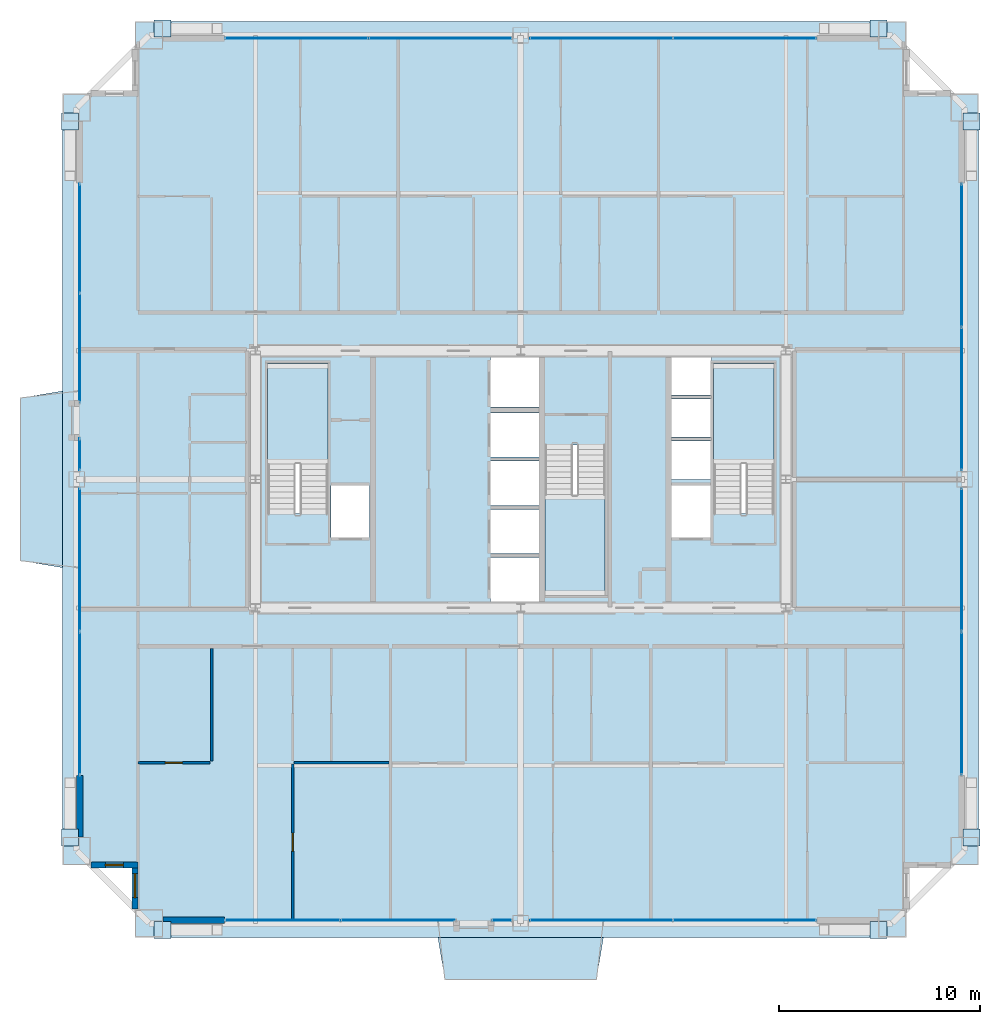
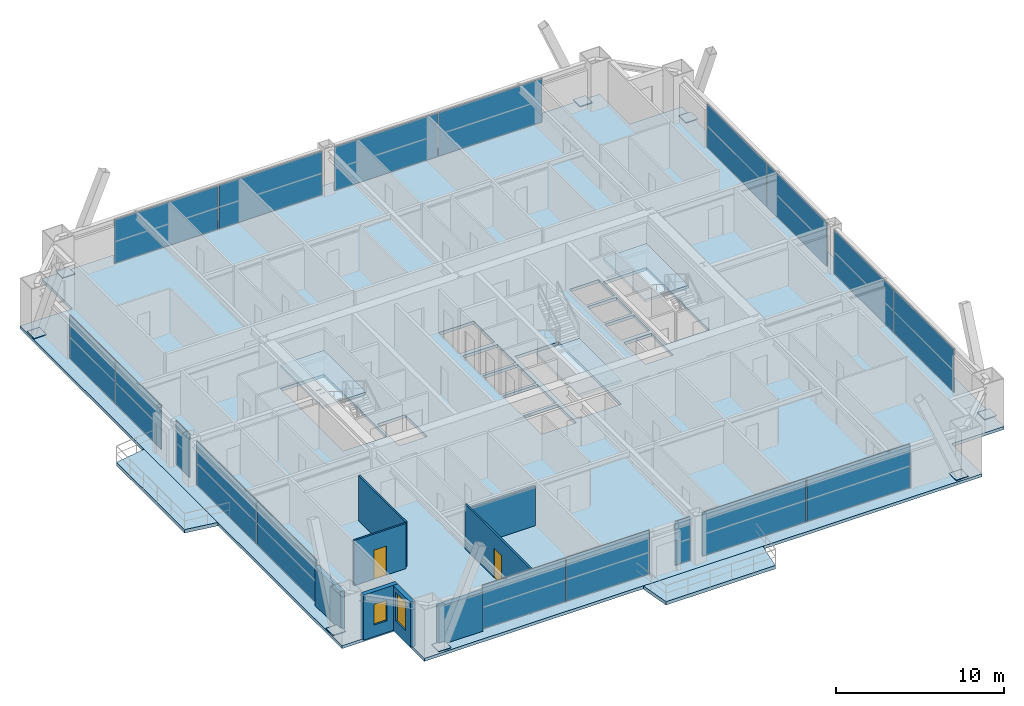
# One storey, part 36 of 42: 26 plates, 8 walls, 6 slabs, 2 doors, 2 windows, 4 openings, 13 elements without a shape of their own.
"""IFC4 building model written with IfcOpenShell, lengths in metres."""

from ifc_helpers import new_model, si_unit, direction, frame, frame_2d, origin, origin_2d, place, context, subcontext, project, spatial, polyline, rectangle, outline, extrude, source, transform, mapped, material, layer, layer_set, type_object, element, fill, aggregate, save


model = new_model("IFC4")

# Units and contexts
model_context = context("Model", 3, precision=1e-05, world=origin(), true_north=direction((0.0, 1.0)))
body_context = subcontext(model_context, "Body", "Model", "MODEL_VIEW")
ifc_project = project(units=[si_unit("LENGTHUNIT", "METRE"), si_unit("AREAUNIT", "SQUARE_METRE"), si_unit("VOLUMEUNIT", "CUBIC_METRE"), si_unit("PLANEANGLEUNIT", "RADIAN"), si_unit("MASSUNIT", "GRAM", prefix="KILO"), si_unit("THERMODYNAMICTEMPERATUREUNIT", "KELVIN"), si_unit("POWERUNIT", "WATT")], contexts=[model_context])

# Site, building, storey
site_placement = place(None, origin())
site = spatial("IfcSite", under=ifc_project, at=site_placement, CompositionType="ELEMENT")
building_placement = place(site_placement, origin())
building = spatial("IfcBuilding", under=site, at=building_placement, Name="Yuzanri Waterfront Tower", CompositionType="ELEMENT")
storey_placement = place(building_placement, frame((0.0, 0.0, 205.5)))
storey = spatial("IfcBuildingStorey", under=building, at=storey_placement, Name="L54", CompositionType="ELEMENT", Elevation=205.5)

# Stair, slab
ifc_material_1 = material(Name="Concrete C40", Category="concrete")
stair_type = type_object("IfcStairType", Name="Concrete C40 Core Dogleg Exit Stair", PredefinedType="HALF_TURN_STAIR", material=ifc_material_1)
stair_1_placement = place(storey_placement, origin())
stair_1 = element("IfcStair", 1, at=stair_1_placement, inside=storey, type_object=stair_type, Name="L54 Smoke-Proof Core Stair ST-01", PredefinedType="HALF_TURN_STAIR")
ifc_material_2 = material(Name="Concrete C40", Category="concrete")
ifc_layer_1 = layer(ifc_material_2, 0.179931640625)
ifc_layer_set_1 = layer_set([ifc_layer_1], Name="Concrete C40")
slab_type_1 = type_object("IfcSlabType", Name="Concrete C40 Stair Half-Landing Slab 180", PredefinedType="LANDING", material=ifc_layer_set_1)
slab_1_placement = place(storey_placement, frame((0.0, 0.0, 1.550048828125)))
slab_1 = element("IfcSlab", 2, at=slab_1_placement, type_object=slab_type_1, Name="ST-01 landing 1", PredefinedType="LANDING", context=body_context, shape_type="SweptSolid", body=[
    extrude(outline(polyline([(27.39990234375, 26.56005859375), (27.39990234375, 31.580078125), (24.39990234375, 31.580078125), (24.39990234375, 26.56005859375), (27.39990234375, 26.56005859375)])), origin(), (0.0, 0.0, 1.0), 0.199951171875),
])
aggregate(stair_1, [slab_1])

stair_2_placement = place(storey_placement, origin())
stair_2 = element("IfcStair", 3, at=stair_2_placement, inside=storey, type_object=stair_type, Name="L54 Smoke-Proof Core Stair ST-02", PredefinedType="HALF_TURN_STAIR")
slab_2_placement = place(storey_placement, frame((0.0, 0.0, 1.550048828125)))
slab_2 = element("IfcSlab", 4, at=slab_2_placement, type_object=slab_type_1, Name="ST-02 landing 1", PredefinedType="LANDING", context=body_context, shape_type="SweptSolid", body=[
    extrude(outline(polyline([(49.60009765625, 26.56005859375), (49.60009765625, 31.580078125), (46.60009765625, 31.580078125), (46.60009765625, 26.56005859375), (49.60009765625, 26.56005859375)])), origin(), (0.0, 0.0, 1.0), 0.199951171875),
])
aggregate(stair_2, [slab_2])

stair_3_placement = place(storey_placement, origin())
stair_3 = element("IfcStair", 5, at=stair_3_placement, inside=storey, type_object=stair_type, Name="L54 Smoke-Proof Core Stair ST-03", PredefinedType="HALF_TURN_STAIR")
slab_3_placement = place(storey_placement, frame((0.0, 0.0, 1.550048828125)))
slab_3 = element("IfcSlab", 6, at=slab_3_placement, type_object=slab_type_1, Name="ST-03 landing 1", PredefinedType="LANDING", context=body_context, shape_type="SweptSolid", body=[
    extrude(outline(polyline([(38.199951171875, 25.0400390625), (38.199951171875, 20.02001953125), (41.199951171875, 20.02001953125), (41.199951171875, 25.0400390625), (38.199951171875, 25.0400390625)])), origin(), (0.0, 0.0, 1.0), 0.199951171875),
])
aggregate(stair_3, [slab_3])

# Slabs
ifc_material_3 = material(Name="Concrete C40", Category="concrete")
ifc_layer_2 = layer(ifc_material_3, 0.25)
ifc_layer_set_2 = layer_set([ifc_layer_2], Name="Concrete C40")
slab_type_2 = type_object("IfcSlabType", Name="Concrete C40 Stepped Gorge Pocket Garden Terrace Slab 250", PredefinedType="FLOOR", material=ifc_layer_set_2)
slab_4_placement = place(storey_placement, frame((0.0, 0.0, -0.25)))
element("IfcSlab", 7, at=slab_4_placement, inside=storey, type_object=slab_type_2, Name="L54 S Cantilevered Engawa Terrace Slab", PredefinedType="FLOOR", context=body_context, shape_type="SweptSolid", body=[
    extrude(outline(polyline([(32.87939453125, 3.0), (41.12060546875, 3.0), (40.7705078125, 0.90087890625), (33.2294921875, 0.90087890625), (32.87939453125, 3.0)])), origin(), (0.0, 0.0, 1.0), 0.25),
])
slab_5_placement = place(storey_placement, frame((0.0, 0.0, -0.25)))
element("IfcSlab", 8, at=slab_5_placement, inside=storey, type_object=slab_type_2, Name="L54 W Cantilevered Engawa Terrace Slab", PredefinedType="FLOOR", context=body_context, shape_type="SweptSolid", body=[
    extrude(outline(polyline([(14.199951171875, 21.39990234375), (12.10107421875, 21.75), (12.10107421875, 29.85009765625), (14.199951171875, 30.199951171875), (14.199951171875, 21.39990234375)])), origin(), (0.0, 0.0, 1.0), 0.25),
])
ifc_material_4 = material(Name="Concrete C40", Category="concrete")
ifc_layer_3 = layer(ifc_material_4, 0.219970703125)
ifc_layer_set_3 = layer_set([ifc_layer_3], Name="Concrete C40")
slab_type_3 = type_object("IfcSlabType", Name="Concrete C40 Tower Typical Structural Floor Slab 220", PredefinedType="FLOOR", material=ifc_layer_set_3)
slab_6_placement = place(storey_placement, frame((0.0, 0.0, -0.219970703125)))
element("IfcSlab", 9, at=slab_6_placement, inside=storey, type_object=slab_type_3, Name="L54 Main Structural Floor Slab", PredefinedType="FLOOR", context=body_context, shape_type="SweptSolid", body=[
    extrude(outline(polyline([(17.800048828125, 3.0), (56.199951171875, 3.0), (56.199951171875, 6.60009765625), (59.800048828125, 6.60009765625), (59.800048828125, 45.0), (56.199951171875, 45.0), (56.199951171875, 48.60009765625), (17.800048828125, 48.60009765625), (17.800048828125, 45.0), (14.199951171875, 45.0), (14.199951171875, 6.60009765625), (17.800048828125, 6.60009765625), (17.800048828125, 3.0)]), holes=[polyline([(27.39990234375, 24.10009765625), (27.39990234375, 31.580078125), (24.39990234375, 31.580078125), (24.39990234375, 24.10009765625), (27.39990234375, 24.10009765625)]), polyline([(49.60009765625, 24.10009765625), (49.60009765625, 31.580078125), (46.60009765625, 31.580078125), (46.60009765625, 24.10009765625), (49.60009765625, 24.10009765625)]), polyline([(38.199951171875, 27.5), (38.199951171875, 20.02001953125), (41.199951171875, 20.02001953125), (41.199951171875, 27.5), (38.199951171875, 27.5)]), polyline([(27.56005859375, 22.89990234375), (29.47998046875, 22.89990234375), (29.47998046875, 25.5), (27.56005859375, 25.5), (27.56005859375, 22.89990234375)]), polyline([(44.52001953125, 22.89990234375), (46.43994140625, 22.89990234375), (46.43994140625, 25.5), (44.52001953125, 25.5), (44.52001953125, 22.89990234375)]), polyline([(35.5, 19.699951171875), (37.89990234375, 19.699951171875), (37.89990234375, 21.89990234375), (35.5, 21.89990234375), (35.5, 19.699951171875)]), polyline([(35.5, 22.10009765625), (37.89990234375, 22.10009765625), (37.89990234375, 24.300048828125), (35.5, 24.300048828125), (35.5, 22.10009765625)]), polyline([(35.5, 24.5), (37.89990234375, 24.5), (37.89990234375, 26.699951171875), (35.5, 26.699951171875), (35.5, 24.5)]), polyline([(35.5, 26.89990234375), (37.89990234375, 26.89990234375), (37.89990234375, 29.10009765625), (35.5, 29.10009765625), (35.5, 26.89990234375)]), polyline([(35.5, 29.39990234375), (37.89990234375, 29.39990234375), (37.89990234375, 31.89990234375), (35.5, 31.89990234375), (35.5, 29.39990234375)]), polyline([(44.5, 25.800048828125), (46.5, 25.800048828125), (46.5, 27.699951171875), (44.5, 27.699951171875), (44.5, 25.800048828125)]), polyline([(44.5, 27.89990234375), (46.5, 27.89990234375), (46.5, 29.800048828125), (44.5, 29.800048828125), (44.5, 27.89990234375)]), polyline([(44.5, 30.0), (46.5, 30.0), (46.5, 31.89990234375), (44.5, 31.89990234375), (44.5, 30.0)])]), origin(), (0.0, 0.0, 1.0), 0.219970703125),
])

# Plates
ifc_material_5 = material(Name="Steel Q420GJC", Category="steel")
ifc_layer_4 = layer(ifc_material_5, 0.0400390625)
ifc_layer_set_4 = layer_set([ifc_layer_4], Name="Steel Q420GJC")
plate_type_1 = type_object("IfcPlateType", Name="Steel Q420GJC Mega-Brace Gusset and End-Cap Plate 40", PredefinedType="SHEET", material=ifc_layer_set_4)
shared_shape_1 = source(origin(), body_context, "Body", "SweptSolid", [
    extrude(rectangle(XDim=0.85009765625, YDim=0.85009765625, at=origin_2d()), origin(), (0.0, 0.0, 1.0), 0.0400390625),
])
for number, where, z_axis, x_axis, name in (
    (10, (19.179931640625, 3.360107421875, 0.159912109375), (0.0, 0.0, 1.0), (1.0, 0.0, 0.0), "L54 Mega-Brace Foot Cap Plate S-L"),
    (11, (54.820068359375, 3.360107421875, 0.159912109375), (0.0, 0.0, 1.0), (1.0, 0.0, 0.0), "L54 Mega-Brace Foot Cap Plate S-R"),
    (12, (19.179931640625, 48.239990234375, 0.159912109375), (0.0, 0.0, 1.0), (1.0, 0.0, 0.0), "L54 Mega-Brace Foot Cap Plate N-L"),
    (13, (54.820068359375, 48.239990234375, 0.159912109375), (0.0, 0.0, 1.0), (1.0, 0.0, 0.0), "L54 Mega-Brace Foot Cap Plate N-R"),
    (14, (14.56005859375, 7.97998046875, 0.159912109375), (0.0, 0.0, 1.0), (1.0, 0.0, 0.0), "L54 Mega-Brace Foot Cap Plate W-L"),
    (15, (14.56005859375, 43.6201171875, 0.159912109375), (0.0, 0.0, 1.0), (1.0, 0.0, 0.0), "L54 Mega-Brace Foot Cap Plate W-R"),
    (16, (59.43994140625, 7.97998046875, 0.159912109375), (0.0, 0.0, 1.0), (1.0, 0.0, 0.0), "L54 Mega-Brace Foot Cap Plate E-L"),
    (17, (59.43994140625, 43.6201171875, 0.159912109375), (0.0, 0.0, 1.0), (1.0, 0.0, 0.0), "L54 Mega-Brace Foot Cap Plate E-R"),
):
    element("IfcPlate", number, at=place(storey_placement, frame(where, z_axis=z_axis, x_axis=x_axis)), inside=storey, type_object=plate_type_1, Name=name, PredefinedType="SHEET", context=body_context, shape_type="MappedRepresentation", body=[
        mapped(shared_shape_1, transform((0.0, 0.0, 0.0), scale=1.0)),
    ])

# Curtain wall, plates
ifc_material_6 = material(Name="Anodized Architectural Bronze", Category="metal")
ifc_layer_5 = layer(ifc_material_6, 0.159912109375)
ifc_layer_set_5 = layer_set([ifc_layer_5], Name="Anodized Architectural Bronze")
curtain_wall_type = type_object("IfcCurtainWallType", Name="Anodized Bronze Mid-Rise Residential Acoustic Unitized Curtain Wall 7200", PredefinedType="NOTDEFINED", material=ifc_layer_set_5)
curtain_wall_1_placement = place(storey_placement, origin())
curtain_wall_1 = element("IfcCurtainWall", 18, at=curtain_wall_1_placement, inside=storey, type_object=curtain_wall_type, Name="L54 Curtain Wall CW-L54-SR", PredefinedType="NOTDEFINED")
ifc_material_7 = material(Name="Triple Low-E Laminated Insulated Glass", Category="glass")
ifc_layer_6 = layer(ifc_material_7, 0.0439453125)
ifc_layer_set_6 = layer_set([ifc_layer_6], Name="Triple Low-E Laminated Insulated Glass")
plate_type_2 = type_object("IfcPlateType", Name="Triple Glazed Acoustic Vision Glass Panel 44", PredefinedType="CURTAIN_PANEL", material=ifc_layer_set_6)
shared_shape_2 = source(origin(), body_context, "Body", "SweptSolid", [
    extrude(rectangle(XDim=7.094970703125, YDim=0.0439453125, at=origin_2d()), origin(), (0.0, 0.0, 1.0), 3.179931640625),
])
plate_1_placement = place(storey_placement, frame((40.987548828125, 3.85009765625, 0.0498046875), z_axis=(0.0, 0.0, 1.0), x_axis=(1.0, 0.0, 0.0)))
plate_1 = element("IfcPlate", 19, at=plate_1_placement, type_object=plate_type_2, Name="CW-L54-SR Vision Glass Panel 01", PredefinedType="CURTAIN_PANEL", context=body_context, shape_type="MappedRepresentation", body=[
    mapped(shared_shape_2, transform((0.0, 0.0, 0.0), scale=1.0)),
])
plate_2_placement = place(storey_placement, frame((48.16259765625, 3.85009765625, 0.0498046875), z_axis=(0.0, 0.0, 1.0), x_axis=(1.0, 0.0, 0.0)))
plate_2 = element("IfcPlate", 20, at=plate_2_placement, type_object=plate_type_2, Name="CW-L54-SR Vision Glass Panel 02", PredefinedType="CURTAIN_PANEL", context=body_context, shape_type="MappedRepresentation", body=[
    mapped(shared_shape_2, transform((0.0, 0.0, 0.0), scale=1.0)),
])
aggregate(curtain_wall_1, [plate_1, plate_2])

curtain_wall_2_placement = place(storey_placement, origin())
curtain_wall_2 = element("IfcCurtainWall", 21, at=curtain_wall_2_placement, inside=storey, type_object=curtain_wall_type, Name="L54 Curtain Wall CW-L54-NL", PredefinedType="NOTDEFINED")
plate_3_placement = place(storey_placement, frame((25.83740234375, 47.75, 0.0498046875), z_axis=(0.0, 0.0, 1.0), x_axis=(1.0, 0.0, 0.0)))
plate_3 = element("IfcPlate", 22, at=plate_3_placement, type_object=plate_type_2, Name="CW-L54-NL Vision Glass Panel 01", PredefinedType="CURTAIN_PANEL", context=body_context, shape_type="MappedRepresentation", body=[
    mapped(shared_shape_2, transform((0.0, 0.0, 0.0), scale=1.0)),
])
plate_4_placement = place(storey_placement, frame((33.012451171875, 47.75, 0.0498046875), z_axis=(0.0, 0.0, 1.0), x_axis=(1.0, 0.0, 0.0)))
plate_4 = element("IfcPlate", 23, at=plate_4_placement, type_object=plate_type_2, Name="CW-L54-NL Vision Glass Panel 02", PredefinedType="CURTAIN_PANEL", context=body_context, shape_type="MappedRepresentation", body=[
    mapped(shared_shape_2, transform((0.0, 0.0, 0.0), scale=1.0)),
])
aggregate(curtain_wall_2, [plate_3, plate_4])

curtain_wall_3_placement = place(storey_placement, origin())
curtain_wall_3 = element("IfcCurtainWall", 24, at=curtain_wall_3_placement, inside=storey, type_object=curtain_wall_type, Name="L54 Curtain Wall CW-L54-NR", PredefinedType="NOTDEFINED")
plate_5_placement = place(storey_placement, frame((40.987548828125, 47.75, 0.0498046875), z_axis=(0.0, 0.0, 1.0), x_axis=(1.0, 0.0, 0.0)))
plate_5 = element("IfcPlate", 25, at=plate_5_placement, type_object=plate_type_2, Name="CW-L54-NR Vision Glass Panel 01", PredefinedType="CURTAIN_PANEL", context=body_context, shape_type="MappedRepresentation", body=[
    mapped(shared_shape_2, transform((0.0, 0.0, 0.0), scale=1.0)),
])
plate_6_placement = place(storey_placement, frame((48.16259765625, 47.75, 0.0498046875), z_axis=(0.0, 0.0, 1.0), x_axis=(1.0, 0.0, 0.0)))
plate_6 = element("IfcPlate", 26, at=plate_6_placement, type_object=plate_type_2, Name="CW-L54-NR Vision Glass Panel 02", PredefinedType="CURTAIN_PANEL", context=body_context, shape_type="MappedRepresentation", body=[
    mapped(shared_shape_2, transform((0.0, 0.0, 0.0), scale=1.0)),
])
aggregate(curtain_wall_3, [plate_5, plate_6])

curtain_wall_4_placement = place(storey_placement, origin())
curtain_wall_4 = element("IfcCurtainWall", 27, at=curtain_wall_4_placement, inside=storey, type_object=curtain_wall_type, Name="L54 Curtain Wall CW-L54-WL", PredefinedType="NOTDEFINED")
plate_7_placement = place(storey_placement, frame((15.050048828125, 14.637451171875, 0.0498046875), z_axis=(0.0, 0.0, 1.0), x_axis=(0.0, 1.0, 0.0)))
plate_7 = element("IfcPlate", 28, at=plate_7_placement, type_object=plate_type_2, Name="CW-L54-WL Vision Glass Panel 01", PredefinedType="CURTAIN_PANEL", context=body_context, shape_type="MappedRepresentation", body=[
    mapped(shared_shape_2, transform((0.0, 0.0, 0.0), scale=1.0)),
])
plate_8_placement = place(storey_placement, frame((15.050048828125, 21.8125, 0.0498046875), z_axis=(0.0, 0.0, 1.0), x_axis=(0.0, 1.0, 0.0)))
plate_8 = element("IfcPlate", 29, at=plate_8_placement, type_object=plate_type_2, Name="CW-L54-WL Vision Glass Panel 02", PredefinedType="CURTAIN_PANEL", context=body_context, shape_type="MappedRepresentation", body=[
    mapped(shared_shape_2, transform((0.0, 0.0, 0.0), scale=1.0)),
])
aggregate(curtain_wall_4, [plate_7, plate_8])

curtain_wall_5_placement = place(storey_placement, origin())
curtain_wall_5 = element("IfcCurtainWall", 30, at=curtain_wall_5_placement, inside=storey, type_object=curtain_wall_type, Name="L54 Curtain Wall CW-L54-EL", PredefinedType="NOTDEFINED")
plate_9_placement = place(storey_placement, frame((58.949951171875, 14.637451171875, 0.0498046875), z_axis=(0.0, 0.0, 1.0), x_axis=(0.0, 1.0, 0.0)))
plate_9 = element("IfcPlate", 31, at=plate_9_placement, type_object=plate_type_2, Name="CW-L54-EL Vision Glass Panel 01", PredefinedType="CURTAIN_PANEL", context=body_context, shape_type="MappedRepresentation", body=[
    mapped(shared_shape_2, transform((0.0, 0.0, 0.0), scale=1.0)),
])
plate_10_placement = place(storey_placement, frame((58.949951171875, 21.8125, 0.0498046875), z_axis=(0.0, 0.0, 1.0), x_axis=(0.0, 1.0, 0.0)))
plate_10 = element("IfcPlate", 32, at=plate_10_placement, type_object=plate_type_2, Name="CW-L54-EL Vision Glass Panel 02", PredefinedType="CURTAIN_PANEL", context=body_context, shape_type="MappedRepresentation", body=[
    mapped(shared_shape_2, transform((0.0, 0.0, 0.0), scale=1.0)),
])
aggregate(curtain_wall_5, [plate_9, plate_10])

curtain_wall_6_placement = place(storey_placement, origin())
curtain_wall_6 = element("IfcCurtainWall", 33, at=curtain_wall_6_placement, inside=storey, type_object=curtain_wall_type, Name="L54 Curtain Wall CW-L54-ER", PredefinedType="NOTDEFINED")
plate_11_placement = place(storey_placement, frame((58.949951171875, 29.78759765625, 0.0498046875), z_axis=(0.0, 0.0, 1.0), x_axis=(0.0, 1.0, 0.0)))
plate_11 = element("IfcPlate", 34, at=plate_11_placement, type_object=plate_type_2, Name="CW-L54-ER Vision Glass Panel 01", PredefinedType="CURTAIN_PANEL", context=body_context, shape_type="MappedRepresentation", body=[
    mapped(shared_shape_2, transform((0.0, 0.0, 0.0), scale=1.0)),
])
plate_12_placement = place(storey_placement, frame((58.949951171875, 36.96240234375, 0.0498046875), z_axis=(0.0, 0.0, 1.0), x_axis=(0.0, 1.0, 0.0)))
plate_12 = element("IfcPlate", 35, at=plate_12_placement, type_object=plate_type_2, Name="CW-L54-ER Vision Glass Panel 02", PredefinedType="CURTAIN_PANEL", context=body_context, shape_type="MappedRepresentation", body=[
    mapped(shared_shape_2, transform((0.0, 0.0, 0.0), scale=1.0)),
])
aggregate(curtain_wall_6, [plate_11, plate_12])

# Curtain wall, plate
curtain_wall_7_placement = place(storey_placement, origin())
curtain_wall_7 = element("IfcCurtainWall", 36, at=curtain_wall_7_placement, inside=storey, type_object=curtain_wall_type, Name="L54 Curtain Wall CW-L54-WR1", PredefinedType="NOTDEFINED")
shared_shape_3 = source(origin(), body_context, "Body", "SweptSolid", [
    extrude(rectangle(XDim=1.594970703125, YDim=0.0439453125, at=origin_2d()), origin(), (0.0, 0.0, 1.0), 3.179931640625),
])
plate_13_placement = place(storey_placement, frame((15.050048828125, 27.03759765625, 0.0498046875), z_axis=(0.0, 0.0, 1.0), x_axis=(0.0, 1.0, 0.0)))
plate_13 = element("IfcPlate", 37, at=plate_13_placement, type_object=plate_type_2, Name="CW-L54-WR1 Vision Glass Panel 01", PredefinedType="CURTAIN_PANEL", context=body_context, shape_type="MappedRepresentation", body=[
    mapped(shared_shape_3, transform((0.0, 0.0, 0.0), scale=1.0)),
])
aggregate(curtain_wall_7, [plate_13])

# Curtain wall, plates
curtain_wall_8_placement = place(storey_placement, origin())
curtain_wall_8 = element("IfcCurtainWall", 38, at=curtain_wall_8_placement, inside=storey, type_object=curtain_wall_type, Name="L54 Curtain Wall CW-L54-WR2", PredefinedType="NOTDEFINED")
shared_shape_4 = source(origin(), body_context, "Body", "SweptSolid", [
    extrude(rectangle(XDim=5.407470703125, YDim=0.0439453125, at=origin_2d()), origin(), (0.0, 0.0, 1.0), 3.179931640625),
])
plate_14_placement = place(storey_placement, frame((15.050048828125, 32.31884765625, 0.0498046875), z_axis=(0.0, 0.0, 1.0), x_axis=(0.0, 1.0, 0.0)))
plate_14 = element("IfcPlate", 39, at=plate_14_placement, type_object=plate_type_2, Name="CW-L54-WR2 Vision Glass Panel 01", PredefinedType="CURTAIN_PANEL", context=body_context, shape_type="MappedRepresentation", body=[
    mapped(shared_shape_4, transform((0.0, 0.0, 0.0), scale=1.0)),
])
plate_15_placement = place(storey_placement, frame((15.050048828125, 37.80615234375, 0.0498046875), z_axis=(0.0, 0.0, 1.0), x_axis=(0.0, 1.0, 0.0)))
plate_15 = element("IfcPlate", 40, at=plate_15_placement, type_object=plate_type_2, Name="CW-L54-WR2 Vision Glass Panel 02", PredefinedType="CURTAIN_PANEL", context=body_context, shape_type="MappedRepresentation", body=[
    mapped(shared_shape_4, transform((0.0, 0.0, 0.0), scale=1.0)),
])
aggregate(curtain_wall_8, [plate_14, plate_15])

curtain_wall_9_placement = place(storey_placement, origin())
curtain_wall_9 = element("IfcCurtainWall", 41, at=curtain_wall_9_placement, inside=storey, type_object=curtain_wall_type, Name="L54 Curtain Wall CW-L54-SL1", PredefinedType="NOTDEFINED")
shared_shape_5 = source(origin(), body_context, "Body", "SweptSolid", [
    extrude(rectangle(XDim=5.702392578125, YDim=0.0439453125, at=origin_2d()), origin(), (0.0, 0.0, 1.0), 3.179931640625),
])
plate_16_placement = place(storey_placement, frame((25.14111328125, 3.85009765625, 0.0498046875), z_axis=(0.0, 0.0, 1.0), x_axis=(1.0, 0.0, 0.0)))
plate_16 = element("IfcPlate", 42, at=plate_16_placement, type_object=plate_type_2, Name="CW-L54-SL1 Vision Glass Panel 01", PredefinedType="CURTAIN_PANEL", context=body_context, shape_type="MappedRepresentation", body=[
    mapped(shared_shape_5, transform((0.0, 0.0, 0.0), scale=1.0)),
])
plate_17_placement = place(storey_placement, frame((30.923583984375, 3.85009765625, 0.0498046875), z_axis=(0.0, 0.0, 1.0), x_axis=(1.0, 0.0, 0.0)))
plate_17 = element("IfcPlate", 43, at=plate_17_placement, type_object=plate_type_2, Name="CW-L54-SL1 Vision Glass Panel 02", PredefinedType="CURTAIN_PANEL", context=body_context, shape_type="MappedRepresentation", body=[
    mapped(shared_shape_5, transform((0.0, 0.0, 0.0), scale=1.0)),
])
aggregate(curtain_wall_9, [plate_16, plate_17])

# Curtain wall, plate
curtain_wall_10_placement = place(storey_placement, origin())
curtain_wall_10 = element("IfcCurtainWall", 44, at=curtain_wall_10_placement, inside=storey, type_object=curtain_wall_type, Name="L54 Curtain Wall CW-L54-SL2", PredefinedType="NOTDEFINED")
shared_shape_6 = source(origin(), body_context, "Body", "SweptSolid", [
    extrude(rectangle(XDim=1.0048828125, YDim=0.0439453125, at=origin_2d()), origin(), (0.0, 0.0, 1.0), 3.179931640625),
])
plate_18_placement = place(storey_placement, frame((36.0576171875, 3.85009765625, 0.0498046875), z_axis=(0.0, 0.0, 1.0), x_axis=(1.0, 0.0, 0.0)))
plate_18 = element("IfcPlate", 45, at=plate_18_placement, type_object=plate_type_2, Name="CW-L54-SL2 Vision Glass Panel 01", PredefinedType="CURTAIN_PANEL", context=body_context, shape_type="MappedRepresentation", body=[
    mapped(shared_shape_6, transform((0.0, 0.0, 0.0), scale=1.0)),
])
aggregate(curtain_wall_10, [plate_18])

# Wall, opening, door
ifc_material_8 = material(Name="Moisture-Resistant Gypsum Stud Wall", Category="gypsum")
ifc_layer_7 = layer(ifc_material_8, 0.1201171875)
ifc_layer_set_7 = layer_set([ifc_layer_7], Name="Moisture-Resistant Gypsum Stud Wall")
wall_type_1 = type_object("IfcWallType", Name="Bathroom and Kitchen Wet Partition 120", PredefinedType="PARTITIONING", material=ifc_layer_set_7)
wall_1_placement = place(storey_placement, frame((17.93994140625, 11.699951171875, 0.0), z_axis=(0.0, 0.0, 1.0), x_axis=(1.0, 0.0, 0.0)))
wall_1 = element("IfcWall", 46, at=wall_1_placement, inside=storey, type_object=wall_type_1, Name="L54 Partition UW-L54-RS1-SUB-1-S", PredefinedType="PARTITIONING", context=body_context, shape_type="SweptSolid", body=[
    extrude(rectangle(XDim=3.60009765625, YDim=0.1201171875, at=frame_2d((1.800048828125, 0.0))), origin(), (0.0, 0.0, 1.0), 3.280029296875),
])
opening_1_placement = place(wall_1_placement, frame((1.375, 0.0, 0.0)))
opening_1 = element("IfcOpeningElement", 47, at=opening_1_placement, cuts=wall_1, Name="Opening ID-0850", PredefinedType="OPENING", context=body_context, shape_type="SweptSolid", body=[
    extrude(rectangle(XDim=0.85009765625, YDim=2.10009765625, at=frame_2d((0.425048828125, 1.050048828125))), frame((0.0, 0.074951171875, 0.0), z_axis=(0.0, -1.0, 0.0), x_axis=(1.0, 0.0, 0.0)), (0.0, 0.0, 1.0), 0.14990234375),
])
ifc_material_9 = material(Name="Moisture-Resistant Lacquered Timber", Category="wood")
door_type_1 = type_object("IfcDoorType", Name="En-Suite Bathroom and Kitchen Swing Door 850x2100", OperationType="NOTDEFINED", PredefinedType="DOOR", material=ifc_material_9)
shared_shape_7 = source(origin(), body_context, "Body", "SweptSolid", [
    extrude(rectangle(XDim=0.85009765625, YDim=2.10009765625, at=frame_2d((0.425048828125, 1.050048828125))), frame((0.0, 0.02490234375, 0.0), z_axis=(0.0, -1.0, 0.0), x_axis=(1.0, 0.0, 0.0)), (0.0, 0.0, 1.0), 0.050048828125),
])
door_1_placement = place(opening_1_placement, origin())
door_1 = element("IfcDoor", 48, at=door_1_placement, inside=storey, type_object=door_type_1, Name="L54 Suite Interior Room Door", OperationType="SINGLE_SWING_LEFT", OverallHeight=2.10009765625, OverallWidth=0.85009765625, PredefinedType="DOOR", context=body_context, shape_type="MappedRepresentation", body=[
    mapped(shared_shape_7, transform((0.0, 0.0, 0.0), scale=1.0)),
])
fill(opening_1, door_1)

wall_2_placement = place(storey_placement, frame((25.64794921875, 3.85009765625, 0.0), z_axis=(0.0, 0.0, 1.0), x_axis=(0.0, 1.0, 0.0)))
wall_2 = element("IfcWall", 49, at=wall_2_placement, inside=storey, type_object=wall_type_1, Name="L54 Partition UW-L54-RS1-SUB-3-W", PredefinedType="PARTITIONING", context=body_context, shape_type="SweptSolid", body=[
    extrude(rectangle(XDim=7.77001953125, YDim=0.1201171875, at=frame_2d((3.885009765625, 0.0))), origin(), (0.0, 0.0, 1.0), 3.280029296875),
])
opening_2_placement = place(wall_2_placement, frame((3.43505859375, 0.0, 0.0)))
opening_2 = element("IfcOpeningElement", 50, at=opening_2_placement, cuts=wall_2, Name="Opening ID-0900", PredefinedType="OPENING", context=body_context, shape_type="SweptSolid", body=[
    extrude(rectangle(XDim=0.89990234375, YDim=2.14990234375, at=frame_2d((0.449951171875, 1.074951171875))), frame((0.0, 0.074951171875, 0.0), z_axis=(0.0, -1.0, 0.0), x_axis=(1.0, 0.0, 0.0)), (0.0, 0.0, 1.0), 0.14990234375),
])
ifc_material_10 = material(Name="Stained Walnut Veneer Timber", Category="wood")
door_type_2 = type_object("IfcDoorType", Name="Bedroom and Study Interior Swing Door 900x2150", OperationType="NOTDEFINED", PredefinedType="DOOR", material=ifc_material_10)
shared_shape_8 = source(origin(), body_context, "Body", "SweptSolid", [
    extrude(rectangle(XDim=0.89990234375, YDim=2.14990234375, at=frame_2d((0.449951171875, 1.074951171875))), frame((0.0, 0.02490234375, 0.0), z_axis=(0.0, -1.0, 0.0), x_axis=(1.0, 0.0, 0.0)), (0.0, 0.0, 1.0), 0.050048828125),
])
door_2_placement = place(opening_2_placement, origin())
door_2 = element("IfcDoor", 51, at=door_2_placement, inside=storey, type_object=door_type_2, Name="L54 Suite Interior Room Door", OperationType="SINGLE_SWING_LEFT", OverallHeight=2.14990234375, OverallWidth=0.89990234375, PredefinedType="DOOR", context=body_context, shape_type="MappedRepresentation", body=[
    mapped(shared_shape_8, transform((0.0, 0.0, 0.0), scale=1.0)),
])
fill(opening_2, door_2)

# Wall, opening, window
ifc_material_11 = material(Name="Honed Chongqing Dark Basalt Stone", Category="masonry")
ifc_layer_8 = layer(ifc_material_11, 0.300048828125)
ifc_layer_set_8 = layer_set([ifc_layer_8], Name="Honed Chongqing Dark Basalt Stone")
wall_type_2 = type_object("IfcWallType", Name="Bronze Rainscreen Insulated Spandrel Portal Wall 300", PredefinedType="SOLIDWALL", material=ifc_layer_set_8)
wall_3_placement = place(storey_placement, frame((15.60009765625, 6.60009765625, 0.0), z_axis=(0.0, 0.0, 1.0), x_axis=(1.0, 0.0, 0.0)))
wall_3 = element("IfcWall", 52, at=wall_3_placement, inside=storey, type_object=wall_type_2, Name="L54 Notched Corner Masonry Wall SW-X", PredefinedType="SOLIDWALL", context=body_context, shape_type="SweptSolid", body=[
    extrude(rectangle(XDim=2.349853515625, YDim=0.300048828125, at=frame_2d((1.1748046875, 0.0))), origin(), (0.0, 0.0, 1.0), 3.280029296875),
])
opening_3_placement = place(wall_3_placement, frame((0.72509765625, 0.0, 0.85009765625)))
opening_3 = element("IfcOpeningElement", 53, at=opening_3_placement, cuts=wall_3, Name="Opening WN-05", PredefinedType="OPENING", context=body_context, shape_type="SweptSolid", body=[
    extrude(rectangle(XDim=0.89990234375, YDim=1.5, at=frame_2d((0.449951171875, 0.75))), frame((0.0, 0.1650390625, 0.0), z_axis=(0.0, -1.0, 0.0), x_axis=(1.0, 0.0, 0.0)), (0.0, 0.0, 1.0), 0.329833984375),
])
ifc_material_12 = material(Name="Double-Silver Low-E Insulated Glass", Category="glass")
window_type_1 = type_object("IfcWindowType", Name="Anodized Bronze Service and Stairwell Smoke-Vent Window 900x1500", PartitioningType="SINGLE_PANEL", PredefinedType="WINDOW", material=ifc_material_12)
shared_shape_9 = source(origin(), body_context, "Body", "SweptSolid", [
    extrude(rectangle(XDim=0.89990234375, YDim=1.5, at=frame_2d((0.449951171875, 0.75))), frame((0.0, 0.030029296875, 0.0), z_axis=(0.0, -1.0, 0.0), x_axis=(1.0, 0.0, 0.0)), (0.0, 0.0, 1.0), 0.06005859375),
])
window_1_placement = place(opening_3_placement, origin())
window_1 = element("IfcWindow", 54, at=window_1_placement, inside=storey, type_object=window_type_1, Name="L54 Notched Corner Window SW-X", OverallHeight=1.5, OverallWidth=0.89990234375, PartitioningType="SINGLE_PANEL", PredefinedType="WINDOW", context=body_context, shape_type="MappedRepresentation", body=[
    mapped(shared_shape_9, transform((0.0, 0.0, 0.0), scale=1.0)),
])
fill(opening_3, window_1)

wall_4_placement = place(storey_placement, frame((17.800048828125, 6.75, 0.0), z_axis=(0.0, 0.0, 1.0), x_axis=(0.0, -1.0, 0.0)))
wall_4 = element("IfcWall", 55, at=wall_4_placement, inside=storey, type_object=wall_type_2, Name="L54 Notched Corner Masonry Wall SW-Y", PredefinedType="SOLIDWALL", context=body_context, shape_type="SweptSolid", body=[
    extrude(rectangle(XDim=2.35009765625, YDim=0.300048828125, at=frame_2d((1.175048828125, 0.0))), origin(), (0.0, 0.0, 1.0), 3.280029296875),
])
opening_4_placement = place(wall_4_placement, frame((0.574951171875, 0.0, 0.85009765625)))
opening_4 = element("IfcOpeningElement", 56, at=opening_4_placement, cuts=wall_4, Name="Opening WN-02", PredefinedType="OPENING", context=body_context, shape_type="SweptSolid", body=[
    extrude(rectangle(XDim=1.199951171875, YDim=2.10009765625, at=frame_2d((0.60009765625, 1.050048828125))), frame((0.0, 0.1650390625, 0.0), z_axis=(0.0, -1.0, 0.0), x_axis=(1.0, 0.0, 0.0)), (0.0, 0.0, 1.0), 0.329833984375),
])
ifc_material_13 = material(Name="Double-Silver Low-E Insulated Glass", Category="glass")
window_type_2 = type_object("IfcWindowType", Name="Anodized Bronze Notched Corner Deep-Set Slot Window 1200x2100", PartitioningType="SINGLE_PANEL", PredefinedType="WINDOW", material=ifc_material_13)
shared_shape_10 = source(origin(), body_context, "Body", "SweptSolid", [
    extrude(rectangle(XDim=1.199951171875, YDim=2.10009765625, at=frame_2d((0.60009765625, 1.050048828125))), frame((0.0, 0.030029296875, 0.0), z_axis=(0.0, -1.0, 0.0), x_axis=(1.0, 0.0, 0.0)), (0.0, 0.0, 1.0), 0.06005859375),
])
window_2_placement = place(opening_4_placement, origin())
window_2 = element("IfcWindow", 57, at=window_2_placement, inside=storey, type_object=window_type_2, Name="L54 Notched Corner Window SW-Y", OverallHeight=2.10009765625, OverallWidth=1.199951171875, PartitioningType="SINGLE_PANEL", PredefinedType="WINDOW", context=body_context, shape_type="MappedRepresentation", body=[
    mapped(shared_shape_10, transform((0.0, 0.0, 0.0), scale=1.0)),
])
fill(opening_4, window_2)

# Walls
shared_shape_11 = source(origin(), body_context, "Body", "SweptSolid", [
    extrude(rectangle(XDim=3.050048828125, YDim=0.300048828125, at=frame_2d((1.52490234375, 0.0))), origin(), (0.0, 0.0, 1.0), 2.8349609375),
])
for number, where, z_axis, x_axis, name in (
    (58, (19.199951171875, 3.85009765625, 0.0), (0.0, 0.0, 1.0), (1.0, 0.0, 0.0), "L54 S Left Braced Masonry Shoulder"),
    (59, (15.050048828125, 8.0, 0.0), (0.0, 0.0, 1.0), (0.0, 1.0, 0.0), "L54 W Left Braced Masonry Shoulder"),
):
    element("IfcWall", number, at=place(storey_placement, frame(where, z_axis=z_axis, x_axis=x_axis)), inside=storey, type_object=wall_type_2, Name=name, PredefinedType="SOLIDWALL", context=body_context, shape_type="MappedRepresentation", body=[
        mapped(shared_shape_11, transform((0.0, 0.0, 0.0), scale=1.0)),
    ])
shared_shape_12 = source(origin(), body_context, "Body", "SweptSolid", [
    extrude(rectangle(XDim=5.60986328125, YDim=0.1201171875, at=frame_2d((2.804931640625, 0.0))), origin(), (0.0, 0.0, 1.0), 3.280029296875),
])
wall_5_placement = place(storey_placement, frame((21.6201171875, 11.780029296875, 0.0), z_axis=(0.0, 0.0, 1.0), x_axis=(0.0, 1.0, 0.0)))
element("IfcWall", 60, at=wall_5_placement, inside=storey, type_object=wall_type_1, Name="L54 Partition UW-L54-RS1-SUB-1-E", PredefinedType="PARTITIONING", context=body_context, shape_type="MappedRepresentation", body=[
    mapped(shared_shape_12, transform((0.0, 0.0, 0.0), scale=1.0)),
])
shared_shape_13 = source(origin(), body_context, "Body", "SweptSolid", [
    extrude(rectangle(XDim=4.7119140625, YDim=0.1201171875, at=frame_2d((2.35595703125, 0.0))), origin(), (0.0, 0.0, 1.0), 2.875),
])
wall_6_placement = place(storey_placement, frame((25.72802734375, 11.699951171875, 0.0), z_axis=(0.0, 0.0, 1.0), x_axis=(1.0, 0.0, 0.0)))
element("IfcWall", 61, at=wall_6_placement, inside=storey, type_object=wall_type_1, Name="L54 Partition UW-L54-RS1-SUB-3-N", PredefinedType="PARTITIONING", context=body_context, shape_type="MappedRepresentation", body=[
    mapped(shared_shape_13, transform((0.0, 0.0, 0.0), scale=1.0)),
])

save(model, "model.ifc")
